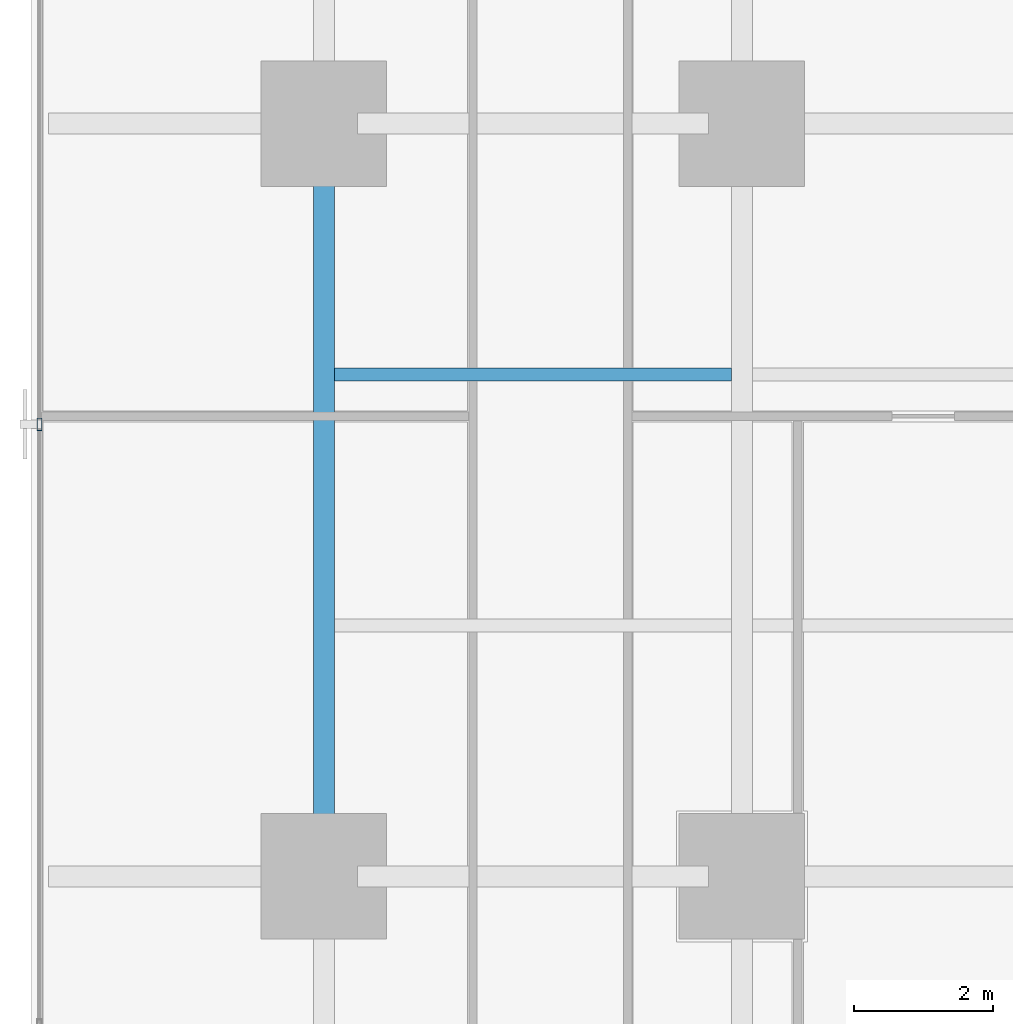
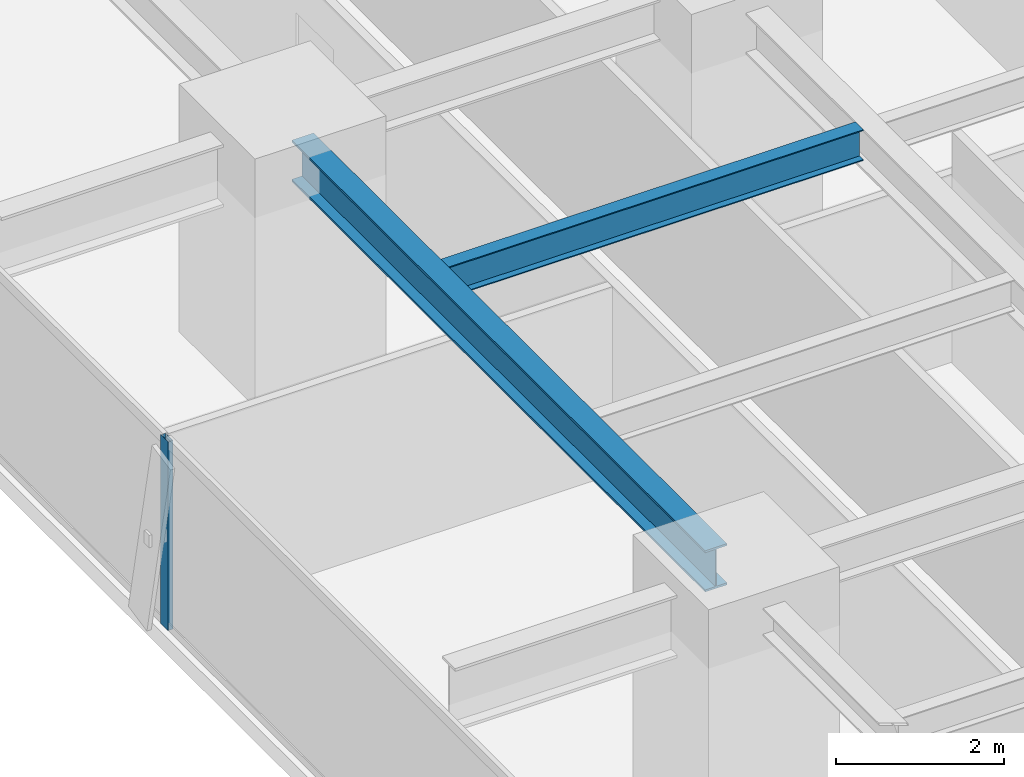
# One storey, part 7 of 33: 2 beams, 1 member, 1 element without a shape of its own.
"""IFC4 building model written with IfcOpenShell, lengths in metres."""

from ifc_helpers import new_model, si_unit, direction, frame, origin, origin_2d, place, context, subcontext, project, spatial, hollow_rectangle, i_section, extrude, source, transform, mapped, material, layer, layer_set, material_profile, profile_set, type_object, element, aggregate, save


model = new_model("IFC4")

# Units and contexts
model_context = context("Model", 3, precision=1e-05, world=origin(), true_north=direction((0.0, 1.0)))
body_context = subcontext(model_context, "Body", "Model", "MODEL_VIEW")
ifc_project = project(units=[si_unit("LENGTHUNIT", "METRE"), si_unit("AREAUNIT", "SQUARE_METRE"), si_unit("VOLUMEUNIT", "CUBIC_METRE"), si_unit("PLANEANGLEUNIT", "RADIAN"), si_unit("MASSUNIT", "GRAM", prefix="KILO")], contexts=[model_context])

# Site, building, storey
site_placement = place(None, origin())
site = spatial("IfcSite", under=ifc_project, at=site_placement, CompositionType="ELEMENT")
building_placement = place(site_placement, origin())
building = spatial("IfcBuilding", under=site, at=building_placement, Name="Sumidabori Civic Tower", CompositionType="ELEMENT")
storey_placement = place(building_placement, frame((0.0, 0.0, 23.60009765625)))
storey = spatial("IfcBuildingStorey", under=building, at=storey_placement, Name="L05", CompositionType="ELEMENT", Elevation=23.60009765625)

# Beams
ifc_material_1 = material(Name="Steel SN490", Category="steel")
ifc_material_profile_1 = material_profile(ifc_material_1, i_section(OverallWidth=0.300048828125, OverallDepth=0.60009765625, WebThickness=0.015380859375, FlangeThickness=0.030029296875, at=origin_2d()), Name="HE 600 B")
ifc_profile_set_1 = profile_set([ifc_material_profile_1], Name="Steel SN490")
beam_type_1 = type_object("IfcBeamType", Name="BM-GIRD-600", PredefinedType="BEAM", material=ifc_profile_set_1)
shared_shape_1 = source(origin(), body_context, "Body", "SweptSolid", [
    extrude(i_section(OverallWidth=0.300048828125, OverallDepth=0.60009765625, WebThickness=0.015380859375, FlangeThickness=0.030029296875, at=origin_2d()), origin(), (0.0, 0.0, 1.0), 9.840087890625),
])
beam_1_placement = place(storey_placement, frame((-22.800048828125, -10.320068359375, 3.059814453125), z_axis=(0.0, 1.0, 0.0), x_axis=(-1.0, 0.0, 0.0)))
element("IfcBeam", 1, at=beam_1_placement, inside=storey, type_object=beam_type_1, Name="Primary Girder L05 GY-22", PredefinedType="BEAM", context=body_context, shape_type="MappedRepresentation", body=[
    mapped(shared_shape_1, transform((0.0, 0.0, 0.0), x_axis=(1.0, 0.0, 0.0), y_axis=(0.0, 1.0, 0.0), z_axis=(0.0, 0.0, 1.0), scale=1.0)),
])
ifc_material_profile_2 = material_profile(ifc_material_1, i_section(OverallWidth=0.18994140625, OverallDepth=0.449951171875, WebThickness=0.009521484375, FlangeThickness=0.0146484375, at=origin_2d()), Name="IPE 450")
ifc_profile_set_2 = profile_set([ifc_material_profile_2], Name="Steel SN490")
beam_type_2 = type_object("IfcBeamType", Name="BM-JST-450", PredefinedType="JOIST", material=ifc_profile_set_2)
shared_shape_2 = source(origin(), body_context, "Body", "SweptSolid", [
    extrude(i_section(OverallWidth=0.18994140625, OverallDepth=0.449951171875, WebThickness=0.009521484375, FlangeThickness=0.0146484375, at=origin_2d()), origin(), (0.0, 0.0, 1.0), 5.699951171875),
])
beam_2_placement = place(storey_placement, frame((-22.64990234375, -3.60009765625, 3.135009765625), z_axis=(1.0, 0.0, 0.0), x_axis=(0.0, 1.0, 0.0)))
element("IfcBeam", 2, at=beam_2_placement, inside=storey, type_object=beam_type_2, Name="Outer Bay Floor Joist L05 JSTO-51", PredefinedType="JOIST", context=body_context, shape_type="MappedRepresentation", body=[
    mapped(shared_shape_2, transform((0.0, 0.0, 0.0), x_axis=(1.0, 0.0, 0.0), y_axis=(0.0, 1.0, 0.0), z_axis=(0.0, 0.0, 1.0), scale=1.0)),
])

# Curtain wall, member
ifc_material_2 = material(Name="Anodised Bronze Aluminium AW-6063-T6", Category="aluminium")
ifc_layer = layer(ifc_material_2, 0.179931640625, Name="Anodised Bronze Aluminium AW-6063-T6")
ifc_layer_set = layer_set([ifc_layer], Name="Anodised Bronze Aluminium AW-6063-T6")
curtain_wall_type = type_object("IfcCurtainWallType", Name="CW-SYS-2", PredefinedType="NOTDEFINED", material=ifc_layer_set)
curtain_wall_placement = place(storey_placement, origin())
curtain_wall = element("IfcCurtainWall", 3, at=curtain_wall_placement, inside=storey, type_object=curtain_wall_type, Name="Curtain Wall CW:L05:R11", PredefinedType="NOTDEFINED")
ifc_material_profile_3 = material_profile(ifc_material_2, hollow_rectangle(XDim=0.070068359375, YDim=0.179931640625, WallThickness=0.006103515625, at=origin_2d()), Name="ALU MULLION 180x70")
ifc_profile_set_3 = profile_set([ifc_material_profile_3], Name="Anodised Bronze Aluminium AW-6063-T6")
member_type = type_object("IfcMemberType", Name="CW-MUL-180", PredefinedType="MULLION", material=ifc_profile_set_3)
shared_shape_3 = source(origin(), body_context, "Body", "SweptSolid", [
    extrude(hollow_rectangle(XDim=0.070068359375, YDim=0.179931640625, WallThickness=0.006103515625, at=origin_2d()), origin(), (0.0, 0.0, 1.0), 2.739990234375),
])
member_placement = place(storey_placement, frame((-26.8798828125, -4.31396484375, 0.0), z_axis=(0.0, 0.0, 1.0), x_axis=(1.0, 0.0, 0.0)))
member = element("IfcMember", 4, at=member_placement, type_object=member_type, Name="CW-2 mullion 4", PredefinedType="MULLION", context=body_context, shape_type="MappedRepresentation", body=[
    mapped(shared_shape_3, transform((0.0, 0.0, 0.0), x_axis=(1.0, 0.0, 0.0), y_axis=(0.0, 1.0, 0.0), z_axis=(0.0, 0.0, 1.0), scale=1.0)),
])
aggregate(curtain_wall, [member])

save(model, "model.ifc")
